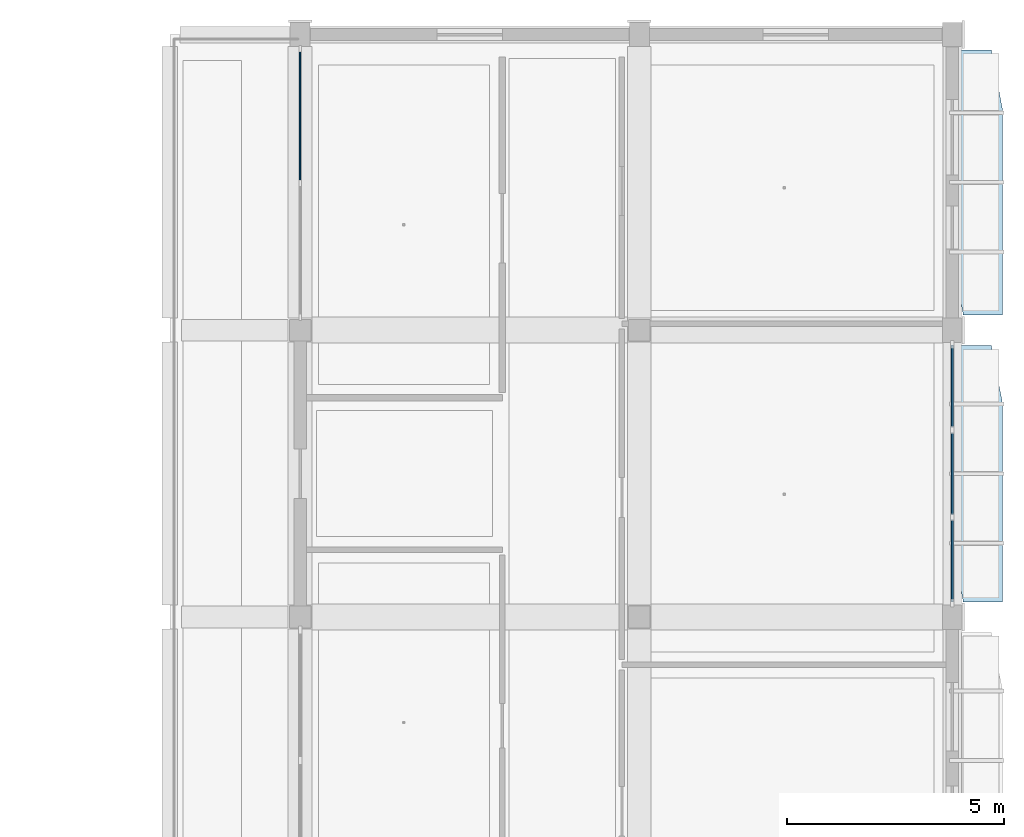
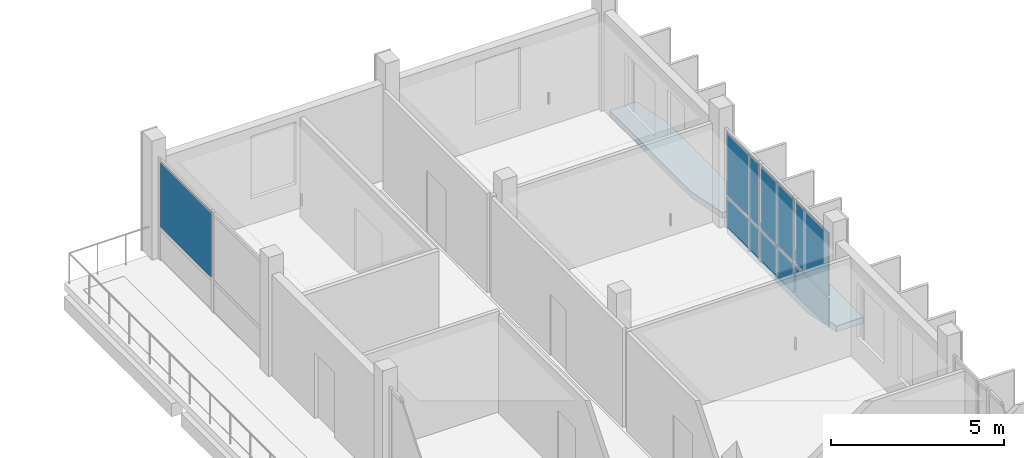
# One storey, part 37 of 85: 7 plates, 2 slabs, 2 elements without a shape of their own.
"""IFC4 building model written with IfcOpenShell, lengths in metres."""

from ifc_helpers import new_model, si_unit, derived_unit, direction, frame, origin, origin_2d, place, context, subcontext, project, spatial, polyline, rectangle, outline, extrude, material, layer, layer_set, type_object, element, aggregate, save


model = new_model("IFC4")

# Units and contexts
model_context = context("Model", 3, precision=1e-05, world=origin(), true_north=direction((0.0, 1.0)))
body_context = subcontext(model_context, "Body", "Model", "MODEL_VIEW")
ifc_project = project(units=[si_unit("LENGTHUNIT", "METRE"), si_unit("AREAUNIT", "SQUARE_METRE"), si_unit("VOLUMEUNIT", "CUBIC_METRE"), si_unit("PLANEANGLEUNIT", "RADIAN"), si_unit("MASSUNIT", "GRAM", prefix="KILO"), derived_unit("THERMALTRANSMITTANCEUNIT", [(si_unit("POWERUNIT", "WATT"), 1), (si_unit("LENGTHUNIT", "METRE"), -2), (si_unit("THERMODYNAMICTEMPERATUREUNIT", "KELVIN"), -1)])], contexts=[model_context])

# Site, building, storey
site_placement = place(None, origin())
site = spatial("IfcSite", under=ifc_project, at=site_placement, CompositionType="ELEMENT")
building_placement = place(site_placement, origin())
building = spatial("IfcBuilding", under=site, at=building_placement, Name="Braskholm Square Health Centre", CompositionType="ELEMENT")
storey_placement = place(building_placement, frame((0.0, 0.0, 9.300048828125)))
storey = spatial("IfcBuildingStorey", under=building, at=storey_placement, Name="L03", CompositionType="ELEMENT", Elevation=9.300048828125)

# Curtain wall, plates
ifc_material_1 = material(Name="Low-E triple insulating glass (VLT 0.64)", Category="glass")
curtain_wall_type = type_object("IfcCurtainWallType", Name="UnitisedCurtainWall6200x3650", PredefinedType="NOTDEFINED", material=ifc_material_1)
curtain_wall_1_placement = place(storey_placement, origin())
curtain_wall_1 = element("IfcCurtainWall", 1, at=curtain_wall_1_placement, inside=storey, type_object=curtain_wall_type, Name="East Outer unitised curtain wall CW-L03-0067", PredefinedType="NOTDEFINED")
ifc_material_2 = material(Name="Architectural bronze anodised aluminium", Category="aluminium")
plate_type_1 = type_object("IfcPlateType", Name="CurtainPanelSpandrel1850x1020", PredefinedType="CURTAIN_PANEL", material=ifc_material_2)
plate_1_placement = place(storey_placement, frame((163.800048828125, 101.693359375, 0.050048828125), z_axis=(0.0, 0.0, 1.0), x_axis=(0.0, 1.0, 0.0)))
plate_1 = element("IfcPlate", 2, at=plate_1_placement, type_object=plate_type_1, Name="CW-L03-0067 spandrel panel 1", PredefinedType="CURTAIN_PANEL", context=body_context, shape_type="SweptSolid", body=[
    extrude(rectangle(XDim=1.88623046875, YDim=0.035888671875, at=origin_2d()), origin(), (0.0, 0.0, 1.0), 1.02001953125),
])
plate_2_placement = place(storey_placement, frame((163.800048828125, 103.699951171875, 0.050048828125), z_axis=(0.0, 0.0, 1.0), x_axis=(0.0, 1.0, 0.0)))
plate_2 = element("IfcPlate", 3, at=plate_2_placement, type_object=plate_type_1, Name="CW-L03-0067 spandrel panel 2", PredefinedType="CURTAIN_PANEL", context=body_context, shape_type="SweptSolid", body=[
    extrude(rectangle(XDim=1.88623046875, YDim=0.035888671875, at=origin_2d()), origin(), (0.0, 0.0, 1.0), 1.02001953125),
])
plate_3_placement = place(storey_placement, frame((163.800048828125, 105.706787109375, 0.050048828125), z_axis=(0.0, 0.0, 1.0), x_axis=(0.0, 1.0, 0.0)))
plate_3 = element("IfcPlate", 4, at=plate_3_placement, type_object=plate_type_1, Name="CW-L03-0067 spandrel panel 3", PredefinedType="CURTAIN_PANEL", context=body_context, shape_type="SweptSolid", body=[
    extrude(rectangle(XDim=1.88623046875, YDim=0.035888671875, at=origin_2d()), origin(), (0.0, 0.0, 1.0), 1.02001953125),
])
plate_type_2 = type_object("IfcPlateType", Name="CurtainPanelVision1850x2120", PredefinedType="CURTAIN_PANEL", material=ifc_material_1)
plate_4_placement = place(storey_placement, frame((163.800048828125, 101.693359375, 1.169921875), z_axis=(0.0, 0.0, 1.0), x_axis=(0.0, 1.0, 0.0)))
plate_4 = element("IfcPlate", 5, at=plate_4_placement, type_object=plate_type_2, Name="CW-L03-0067 vision glass panel 1", PredefinedType="CURTAIN_PANEL", context=body_context, shape_type="SweptSolid", body=[
    extrude(rectangle(XDim=1.88623046875, YDim=0.035888671875, at=origin_2d()), origin(), (0.0, 0.0, 1.0), 2.199951171875),
])
plate_5_placement = place(storey_placement, frame((163.800048828125, 103.699951171875, 1.169921875), z_axis=(0.0, 0.0, 1.0), x_axis=(0.0, 1.0, 0.0)))
plate_5 = element("IfcPlate", 6, at=plate_5_placement, type_object=plate_type_2, Name="CW-L03-0067 vision glass panel 2", PredefinedType="CURTAIN_PANEL", context=body_context, shape_type="SweptSolid", body=[
    extrude(rectangle(XDim=1.88623046875, YDim=0.035888671875, at=origin_2d()), origin(), (0.0, 0.0, 1.0), 2.199951171875),
])
plate_6_placement = place(storey_placement, frame((163.800048828125, 105.706787109375, 1.169921875), z_axis=(0.0, 0.0, 1.0), x_axis=(0.0, 1.0, 0.0)))
plate_6 = element("IfcPlate", 7, at=plate_6_placement, type_object=plate_type_2, Name="CW-L03-0067 vision glass panel 3", PredefinedType="CURTAIN_PANEL", context=body_context, shape_type="SweptSolid", body=[
    extrude(rectangle(XDim=1.88623046875, YDim=0.035888671875, at=origin_2d()), origin(), (0.0, 0.0, 1.0), 2.199951171875),
])
aggregate(curtain_wall_1, [plate_1, plate_4, plate_2, plate_5, plate_3, plate_6])

# Curtain wall, plate
curtain_wall_2_placement = place(storey_placement, origin())
curtain_wall_2 = element("IfcCurtainWall", 8, at=curtain_wall_2_placement, inside=storey, type_object=curtain_wall_type, Name="East Valley unitised curtain wall CW-L03-0128", PredefinedType="NOTDEFINED")
plate_type_3 = type_object("IfcPlateType", Name="CurtainPanelVision2750x2120", PredefinedType="CURTAIN_PANEL", material=ifc_material_1)
plate_7_placement = place(storey_placement, frame((148.800048828125, 111.9287109375, 1.169921875), z_axis=(0.0, 0.0, 1.0), x_axis=(0.0, -1.0, 0.0)))
plate_7 = element("IfcPlate", 9, at=plate_7_placement, type_object=plate_type_3, Name="CW-L03-0128 vision glass panel 1", PredefinedType="CURTAIN_PANEL", context=body_context, shape_type="SweptSolid", body=[
    extrude(rectangle(XDim=2.9375, YDim=0.035888671875, at=origin_2d()), origin(), (0.0, 0.0, 1.0), 2.2900390625),
])
aggregate(curtain_wall_2, [plate_7])

# Slabs
ifc_material_3 = material(Name="Precast concrete C40/50 architectural white", Category="concrete")
ifc_layer = layer(ifc_material_3, 0.2099609375)
ifc_layer_set = layer_set([ifc_layer], Name="Precast concrete C40/50 architectural white")
slab_type = type_object("IfcSlabType", Name="PitchedAndCrownRoofSlab150", PredefinedType="ROOF", material=ifc_layer_set)
slab_1_placement = place(storey_placement, frame((0.0, 0.0, -0.2099609375)))
element("IfcSlab", 10, at=slab_1_placement, inside=storey, type_object=slab_type, Name="Level L03 East precast planter ledge 095", PredefinedType="ROOF", context=body_context, shape_type="SweptSolid", body=[
    extrude(outline(polyline([(164.052978515625, 100.75), (164.949951171875, 100.75), (164.949951171875, 105.35205078125), (164.697021484375, 106.64990234375), (163.800048828125, 106.64990234375), (163.800048828125, 102.048095703125), (164.052978515625, 100.75)])), origin(), (0.0, 0.0, 1.0), 0.2099609375),
])
slab_2_placement = place(storey_placement, frame((0.0, 0.0, -0.2099609375)))
element("IfcSlab", 11, at=slab_2_placement, inside=storey, type_object=slab_type, Name="Level L03 East precast planter ledge 096", PredefinedType="ROOF", context=body_context, shape_type="SweptSolid", body=[
    extrude(outline(polyline([(164.052978515625, 107.35009765625), (164.949951171875, 107.35009765625), (164.949951171875, 112.10791015625), (164.697021484375, 113.449951171875), (163.800048828125, 113.449951171875), (163.800048828125, 108.69189453125), (164.052978515625, 107.35009765625)])), origin(), (0.0, 0.0, 1.0), 0.2099609375),
])

save(model, "model.ifc")
